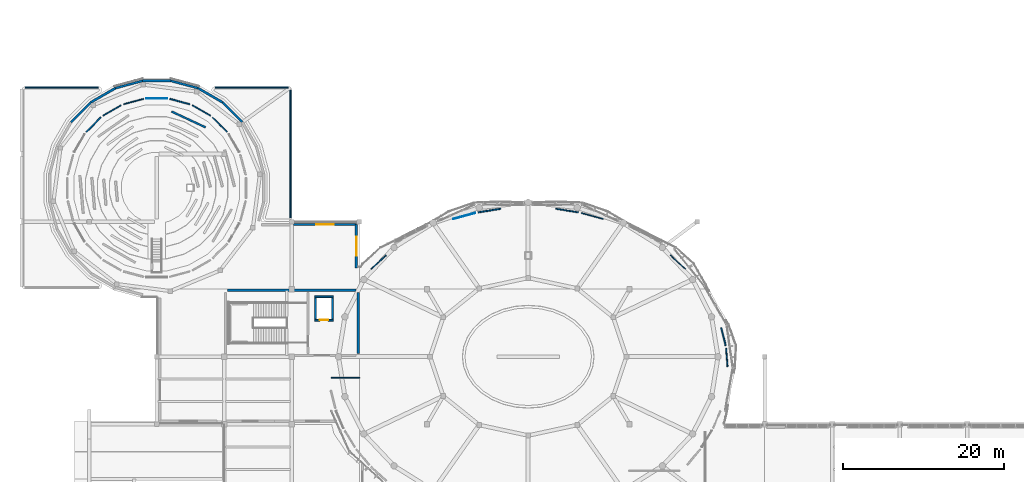
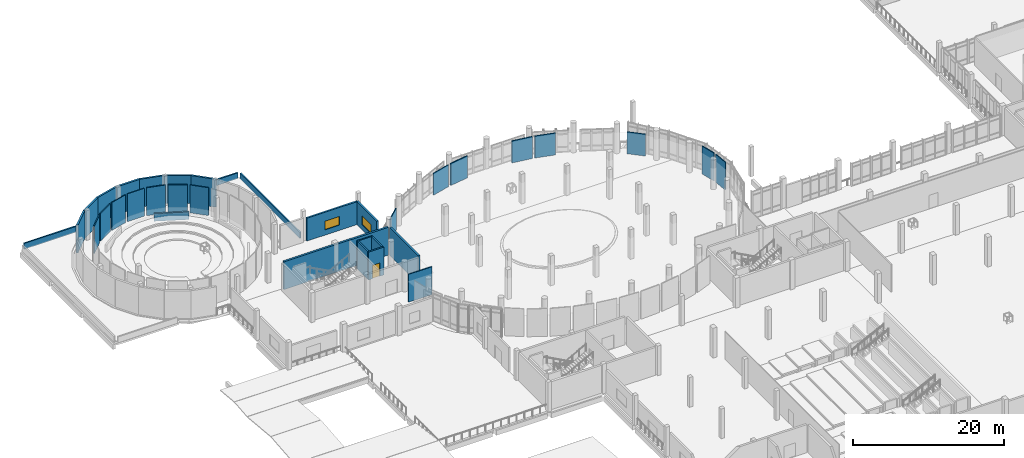
# One storey, part 45 of 63: 35 walls, 2 windows, 1 door, 3 openings.
"""IFC4 building model written with IfcOpenShell, lengths in metres."""

from ifc_helpers import new_model, si_unit, derived_unit, direction, frame, frame_2d, origin, place, context, subcontext, project, spatial, rectangle, extrude, material, layer, layer_set, type_object, element, fill, save


model = new_model("IFC4")

# Units and contexts
model_context = context("Model", 3, precision=1e-05, world=origin(), true_north=direction((0.0, 1.0)))
body_context = subcontext(model_context, "Body", "Model", "MODEL_VIEW")
ifc_project = project(units=[si_unit("LENGTHUNIT", "METRE"), si_unit("AREAUNIT", "SQUARE_METRE"), si_unit("VOLUMEUNIT", "CUBIC_METRE"), si_unit("PLANEANGLEUNIT", "RADIAN"), si_unit("MASSUNIT", "GRAM", prefix="KILO"), derived_unit("THERMALTRANSMITTANCEUNIT", [(si_unit("POWERUNIT", "WATT"), 1), (si_unit("LENGTHUNIT", "METRE"), -2), (si_unit("THERMODYNAMICTEMPERATUREUNIT", "KELVIN"), -1)])], contexts=[model_context])

# Site, building, storey
site_placement = place(None, origin())
site = spatial("IfcSite", under=ifc_project, at=site_placement, CompositionType="ELEMENT")
building_placement = place(site_placement, origin())
building = spatial("IfcBuilding", under=site, at=building_placement, Name="Elbkamm Science Centre", CompositionType="ELEMENT")
storey_placement = place(building_placement, frame((0.0, 0.0, 5.10009765625)))
storey = spatial("IfcBuildingStorey", under=building, at=storey_placement, Name="L01", CompositionType="ELEMENT", Elevation=5.10009765625)

# Walls
ifc_material_1 = material(Name="Reinforced concrete C40/50", Category="concrete")
ifc_layer_1 = layer(ifc_material_1, 0.300048828125)
ifc_layer_set_1 = layer_set([ifc_layer_1], Name="Reinforced concrete C40/50")
wall_type_1 = type_object("IfcWallType", Name="WL-CORE-300", PredefinedType="SHEAR", material=ifc_layer_set_1)
wall_1_placement = place(storey_placement, frame((25.6201171875, 75.449951171875, 0.0), z_axis=(0.0, 0.0, 1.0), x_axis=(1.0, 0.0, 0.0)))
element("IfcWall", 1, at=wall_1_placement, inside=storey, type_object=wall_type_1, Name="L01 Core C1 Northwest Planetarium and Exhibition Core Shear Wall N", PredefinedType="SHEAR", context=body_context, shape_type="SweptSolid", body=[
    extrude(rectangle(XDim=15.9599609375, YDim=0.300048828125, at=frame_2d((7.97998046875, 0.0))), origin(), (0.0, 0.0, 1.0), 4.5),
])
wall_2_placement = place(storey_placement, frame((41.85009765625, 67.6201171875, 0.0), z_axis=(0.0, 0.0, 1.0), x_axis=(0.0, 1.0, 0.0)))
element("IfcWall", 2, at=wall_2_placement, inside=storey, type_object=wall_type_1, Name="L01 Core C1 Northwest Planetarium and Exhibition Core Shear Wall E", PredefinedType="SHEAR", context=body_context, shape_type="SweptSolid", body=[
    extrude(rectangle(XDim=7.559814453125, YDim=0.300048828125, at=frame_2d((3.77978515625, 0.0))), origin(), (0.0, 0.0, 1.0), 4.5),
])
ifc_material_2 = material(Name="White precast concrete C40/50", Category="concrete")
ifc_layer_2 = layer(ifc_material_2, 0.27001953125)
ifc_layer_set_2 = layer_set([ifc_layer_2], Name="White precast concrete C40/50")
wall_type_2 = type_object("IfcWallType", Name="WL-EXT-270", PredefinedType="SOLIDWALL", material=ifc_layer_set_2)
wall_3_placement = place(storey_placement, frame((6.15576171875, 96.36767578125, 0.0), z_axis=(0.0, 0.0, 1.0), x_axis=(0.707106781187, 0.707106781187, 0.0)))
element("IfcWall", 3, at=wall_3_placement, inside=storey, type_object=wall_type_2, Name="L01 Exterior Wall 0169", PredefinedType="SOLIDWALL", context=body_context, shape_type="SweptSolid", body=[
    extrude(rectangle(XDim=3.50244140625, YDim=0.27001953125, at=frame_2d((1.751220703125, 0.0))), origin(), (0.0, 0.0, 1.0), 4.5),
])
wall_4_placement = place(storey_placement, frame((11.665771484375, 100.595458984375, 0.0), z_axis=(0.0, 0.0, 1.0), x_axis=(0.965920667636, 0.25883829669, 0.0)))
element("IfcWall", 4, at=wall_4_placement, inside=storey, type_object=wall_type_2, Name="L01 Exterior Wall 0171", PredefinedType="SOLIDWALL", context=body_context, shape_type="SweptSolid", body=[
    extrude(rectangle(XDim=3.502197265625, YDim=0.27001953125, at=frame_2d((1.7509765625, 0.0))), origin(), (0.0, 0.0, 1.0), 4.5),
])
for number, where, z_axis, x_axis, name in (
    (5, (18.55126953125, 101.501953125, 0.0), (0.0, 0.0, 1.0), (0.965925337635, -0.258820868777, 0.0), "L01 Exterior Wall 0173"),
    (6, (24.967529296875, 98.84423828125, 0.0), (0.0, 0.0, 1.0), (0.707106781187, -0.707106781187, 0.0), "L01 Exterior Wall 0175"),
):
    element("IfcWall", number, at=place(storey_placement, frame(where, z_axis=z_axis, x_axis=x_axis)), inside=storey, type_object=wall_type_2, Name=name, PredefinedType="SOLIDWALL", context=body_context, shape_type="SweptSolid", body=[
        extrude(rectangle(XDim=3.50244140625, YDim=0.27001953125, at=frame_2d((1.751220703125, 0.0))), origin(), (0.0, 0.0, 1.0), 4.5),
    ])

# Wall, opening, window
wall_5_placement = place(storey_placement, frame((33.839111328125, 83.6201171875, 0.0), z_axis=(0.0, 0.0, 1.0), x_axis=(1.0, 0.0, 0.0)))
wall_5 = element("IfcWall", 7, at=wall_5_placement, inside=storey, type_object=wall_type_2, Name="L01 Exterior Wall 0181", PredefinedType="SOLIDWALL", context=body_context, shape_type="SweptSolid", body=[
    extrude(rectangle(XDim=7.781005859375, YDim=0.27001953125, at=frame_2d((3.890625, 0.0))), origin(), (0.0, 0.0, 1.0), 3.699951171875),
])
opening_1_placement = place(wall_5_placement, frame((2.790283203125, 0.0, 0.85009765625)))
opening_1 = element("IfcOpeningElement", 8, at=opening_1_placement, cuts=wall_5, Name="Opening W-06", PredefinedType="OPENING", context=body_context, shape_type="SweptSolid", body=[
    extrude(rectangle(XDim=2.199951171875, YDim=1.39990234375, at=frame_2d((1.10009765625, 0.699951171875))), frame((0.0, 0.14697265625, 0.0), z_axis=(0.0, -1.0, 0.0), x_axis=(1.0, 0.0, 0.0)), (0.0, 0.0, 1.0), 0.2939453125),
])
ifc_material_3 = material(Name="Thermally broken aluminium and triple solar glass", Category="aluminium")
ifc_layer_3 = layer(ifc_material_3, 0.06005859375)
ifc_layer_set_3 = layer_set([ifc_layer_3], Name="Thermally broken aluminium and triple solar glass")
window_type_1 = type_object("IfcWindowType", Name="WIN-2200x1400", PartitioningType="DOUBLE_PANEL_VERTICAL", PredefinedType="WINDOW", material=ifc_layer_set_3)
window_1_placement = place(opening_1_placement, origin())
window_1 = element("IfcWindow", 9, at=window_1_placement, inside=storey, type_object=window_type_1, Name="L01 Facade Window 0025", OverallHeight=1.39990234375, OverallWidth=2.199951171875, PartitioningType="SINGLE_PANEL", PredefinedType="WINDOW", context=body_context, shape_type="SweptSolid", body=[
    extrude(rectangle(XDim=2.199951171875, YDim=1.39990234375, at=frame_2d((1.10009765625, 0.699951171875))), frame((0.0, 0.030029296875, 0.0), z_axis=(0.0, -1.0, 0.0), x_axis=(1.0, 0.0, 0.0)), (0.0, 0.0, 1.0), 0.06005859375),
])
fill(opening_1, window_1)

# Walls
ifc_layer_4 = layer(ifc_material_2, 0.2900390625)
ifc_layer_set_4 = layer_set([ifc_layer_4], Name="White precast concrete C40/50")
wall_type_3 = type_object("IfcWallType", Name="WL-EXT-290", PredefinedType="SOLIDWALL", material=ifc_layer_set_4)
for number, where, z_axis, x_axis, name in (
    (10, (8.63232421875, 98.84423828125, 0.0), (0.0, 0.0, 1.0), (0.866042820954, 0.499969831364, 0.0), "L01 Exterior Wall 0170"),
    (11, (15.048583984375, 101.501953125, 0.0), (0.0, 0.0, 1.0), (1.0, 0.0, 0.0), "L01 Exterior Wall 0172"),
):
    element("IfcWall", number, at=place(storey_placement, frame(where, z_axis=z_axis, x_axis=x_axis)), inside=storey, type_object=wall_type_3, Name=name, PredefinedType="SOLIDWALL", context=body_context, shape_type="SweptSolid", body=[
        extrude(rectangle(XDim=3.502685546875, YDim=0.2900390625, at=frame_2d((1.75146484375, 0.0))), origin(), (0.0, 0.0, 1.0), 4.5),
    ])
wall_6_placement = place(storey_placement, frame((21.934326171875, 100.595458984375, 0.0), z_axis=(0.0, 0.0, 1.0), x_axis=(0.86602539607, -0.500000013362, 0.0)))
element("IfcWall", 12, at=wall_6_placement, inside=storey, type_object=wall_type_3, Name="L01 Exterior Wall 0174", PredefinedType="SOLIDWALL", context=body_context, shape_type="SweptSolid", body=[
    extrude(rectangle(XDim=3.50244140625, YDim=0.2900390625, at=frame_2d((1.751220703125, 0.0))), origin(), (0.0, 0.0, 1.0), 4.5),
])

# Wall, opening, window
wall_7_placement = place(storey_placement, frame((41.6201171875, 83.6201171875, 0.0), z_axis=(0.0, 0.0, 1.0), x_axis=(0.0, -1.0, 0.0)))
wall_7 = element("IfcWall", 13, at=wall_7_placement, inside=storey, type_object=wall_type_3, Name="L01 Exterior Wall 0182", PredefinedType="SOLIDWALL", context=body_context, shape_type="SweptSolid", body=[
    extrude(rectangle(XDim=5.36181640625, YDim=0.2900390625, at=frame_2d((2.680908203125, 0.0))), origin(), (0.0, 0.0, 1.0), 3.699951171875),
])
opening_2_placement = place(wall_7_placement, frame((1.480712890625, 0.0, 0.85009765625)))
opening_2 = element("IfcOpeningElement", 14, at=opening_2_placement, cuts=wall_7, Name="Opening W-07", PredefinedType="OPENING", context=body_context, shape_type="SweptSolid", body=[
    extrude(rectangle(XDim=2.39990234375, YDim=1.39990234375, at=frame_2d((1.199951171875, 0.699951171875))), frame((0.0, 0.156982421875, 0.0), z_axis=(0.0, -1.0, 0.0), x_axis=(1.0, 0.0, 0.0)), (0.0, 0.0, 1.0), 0.31396484375),
])
ifc_layer_5 = layer(ifc_material_3, 0.06005859375)
ifc_layer_set_5 = layer_set([ifc_layer_5], Name="Thermally broken aluminium and triple solar glass")
window_type_2 = type_object("IfcWindowType", Name="WIN-2400x1400", PartitioningType="DOUBLE_PANEL_VERTICAL", PredefinedType="WINDOW", material=ifc_layer_set_5)
window_2_placement = place(opening_2_placement, origin())
window_2 = element("IfcWindow", 15, at=window_2_placement, inside=storey, type_object=window_type_2, Name="L01 Facade Window 0026", OverallHeight=1.39990234375, OverallWidth=2.39990234375, PartitioningType="SINGLE_PANEL", PredefinedType="WINDOW", context=body_context, shape_type="SweptSolid", body=[
    extrude(rectangle(XDim=2.39990234375, YDim=1.39990234375, at=frame_2d((1.199951171875, 0.699951171875))), frame((0.0, 0.030029296875, 0.0), z_axis=(0.0, -1.0, 0.0), x_axis=(1.0, 0.0, 0.0)), (0.0, 0.0, 1.0), 0.06005859375),
])
fill(opening_2, window_2)

# Walls
ifc_layer_6 = layer(ifc_material_2, 0.18994140625)
ifc_layer_set_6 = layer_set([ifc_layer_6], Name="White precast concrete C40/50")
wall_type_4 = type_object("IfcWallType", Name="WL-PAR-190", PredefinedType="PARAPET", material=ifc_layer_set_6)
wall_8_placement = place(storey_placement, frame((33.4599609375, 100.346435546875, 0.0), z_axis=(0.0, 0.0, 1.0), x_axis=(0.0, -1.0, 0.0)))
element("IfcWall", 16, at=wall_8_placement, inside=storey, type_object=wall_type_4, Name="L01 Roof Parapet Wall 025", PredefinedType="PARAPET", context=body_context, shape_type="SweptSolid", body=[
    extrude(rectangle(XDim=15.863037109375, YDim=0.18994140625, at=frame_2d((7.931640625, 0.0))), origin(), (0.0, 0.0, 1.0), 0.949951171875),
])
ifc_layer_7 = layer(ifc_material_2, 0.2099609375)
ifc_layer_set_7 = layer_set([ifc_layer_7], Name="White precast concrete C40/50")
wall_type_5 = type_object("IfcWallType", Name="WL-PAR-210", PredefinedType="PARAPET", material=ifc_layer_set_7)
wall_9_placement = place(storey_placement, frame((24.082763671875, 100.659912109375, 0.0), z_axis=(0.0, 0.0, 1.0), x_axis=(1.0, 0.0, 0.0)))
element("IfcWall", 17, at=wall_9_placement, inside=storey, type_object=wall_type_5, Name="L01 Roof Parapet Wall 024", PredefinedType="PARAPET", context=body_context, shape_type="SweptSolid", body=[
    extrude(rectangle(XDim=9.063720703125, YDim=0.2099609375, at=frame_2d((4.53173828125, 0.0))), origin(), (0.0, 0.0, 1.0), 0.949951171875),
])
wall_10_placement = place(storey_placement, frame((0.45361328125, 100.659912109375, 0.0), z_axis=(0.0, 0.0, 1.0), x_axis=(1.0, 0.0, 0.0)))
element("IfcWall", 18, at=wall_10_placement, inside=storey, type_object=wall_type_5, Name="L01 Roof Parapet Wall 026", PredefinedType="PARAPET", context=body_context, shape_type="SweptSolid", body=[
    extrude(rectangle(XDim=9.0634765625, YDim=0.2099609375, at=frame_2d((4.53173828125, 0.0))), origin(), (0.0, 0.0, 1.0), 0.949951171875),
])
ifc_material_4 = material(Name="Drywall service partition", Category="gypsum")
ifc_layer_8 = layer(ifc_material_4, 0.10009765625)
ifc_layer_set_8 = layer_set([ifc_layer_8], Name="Drywall service partition")
wall_type_6 = type_object("IfcWallType", Name="WL-PART-100", PredefinedType="PARTITIONING", material=ifc_layer_set_8)
wall_11_placement = place(storey_placement, frame((15.51806640625, 99.30419921875, 0.0), z_axis=(0.0, 0.0, 1.0), x_axis=(1.0, 0.0, 0.0)))
element("IfcWall", 19, at=wall_11_placement, inside=storey, type_object=wall_type_6, Name="L01 Planetarium Star Chamber Partition 0079", PredefinedType="PARTITIONING", context=body_context, shape_type="SweptSolid", body=[
    extrude(rectangle(XDim=2.563720703125, YDim=0.10009765625, at=frame_2d((1.28173828125, 0.0))), origin(), (0.0, 0.0, 1.0), 4.5),
])
wall_12_placement = place(storey_placement, frame((53.68310546875, 84.3251953125, 0.0), z_axis=(0.0, 0.0, 1.0), x_axis=(0.96451408242, 0.264031408763, 0.0)))
element("IfcWall", 20, at=wall_12_placement, inside=storey, type_object=wall_type_6, Name="L01 Marine Ecology Exhibition Hall Partition 0103", PredefinedType="PARTITIONING", context=body_context, shape_type="SweptSolid", body=[
    extrude(rectangle(XDim=2.824951171875, YDim=0.10009765625, at=frame_2d((1.41259765625, 0.0))), origin(), (0.0, 0.0, 1.0), 3.5498046875),
])
wall_13_placement = place(storey_placement, frame((80.668701171875, 79.8203125, 0.0), z_axis=(0.0, 0.0, 1.0), x_axis=(0.736070513848, -0.67690486676, 0.0)))
element("IfcWall", 21, at=wall_13_placement, inside=storey, type_object=wall_type_6, Name="L01 Marine Ecology Exhibition Hall Partition 0107", PredefinedType="PARTITIONING", context=body_context, shape_type="SweptSolid", body=[
    extrude(rectangle(XDim=2.5458984375, YDim=0.10009765625, at=frame_2d((1.27294921875, 0.0))), origin(), (0.0, 0.0, 1.0), 3.5498046875),
])
ifc_material_5 = material(Name="Lightweight metal-stud gypsum partition", Category="gypsum")
ifc_layer_9 = layer(ifc_material_5, 0.125)
ifc_layer_set_9 = layer_set([ifc_layer_9], Name="Lightweight metal-stud gypsum partition")
wall_type_7 = type_object("IfcWallType", Name="WL-PART-125", PredefinedType="PARTITIONING", material=ifc_layer_set_9)
wall_14_placement = place(storey_placement, frame((12.687744140625, 98.593994140625, 0.0), z_axis=(0.0, 0.0, 1.0), x_axis=(0.965927649949, 0.258812239014, 0.0)))
element("IfcWall", 22, at=wall_14_placement, inside=storey, type_object=wall_type_7, Name="L01 Planetarium Star Chamber Partition 0078", PredefinedType="PARTITIONING", context=body_context, shape_type="SweptSolid", body=[
    extrude(rectangle(XDim=2.56396484375, YDim=0.125, at=frame_2d((1.281982421875, 0.0))), origin(), (0.0, 0.0, 1.0), 4.5),
])
wall_15_placement = place(storey_placement, frame((23.745361328125, 96.958251953125, 0.0), z_axis=(0.0, 0.0, 1.0), x_axis=(0.707154392995, -0.707059166172, 0.0)))
element("IfcWall", 23, at=wall_15_placement, inside=storey, type_object=wall_type_7, Name="L01 Planetarium Star Chamber Partition 0082", PredefinedType="PARTITIONING", context=body_context, shape_type="SweptSolid", body=[
    extrude(rectangle(XDim=2.563720703125, YDim=0.125, at=frame_2d((1.28173828125, 0.0))), origin(), (0.0, 0.0, 1.0), 4.5),
])
wall_16_placement = place(storey_placement, frame((43.457275390625, 78.096923828125, 0.0), z_axis=(0.0, 0.0, 1.0), x_axis=(0.736070513848, 0.67690486676, 0.0)))
element("IfcWall", 24, at=wall_16_placement, inside=storey, type_object=wall_type_7, Name="L01 Marine Ecology Exhibition Hall Partition 0102", PredefinedType="PARTITIONING", context=body_context, shape_type="SweptSolid", body=[
    extrude(rectangle(XDim=2.5458984375, YDim=0.125, at=frame_2d((1.27294921875, 0.0))), origin(), (0.0, 0.0, 1.0), 3.5498046875),
])
wall_17_placement = place(storey_placement, frame((69.59228515625, 85.071044921875, 0.0), z_axis=(0.0, 0.0, 1.0), x_axis=(0.96451408242, -0.264031408763, 0.0)))
element("IfcWall", 25, at=wall_17_placement, inside=storey, type_object=wall_type_7, Name="L01 Marine Ecology Exhibition Hall Partition 0106", PredefinedType="PARTITIONING", context=body_context, shape_type="SweptSolid", body=[
    extrude(rectangle(XDim=2.824951171875, YDim=0.125, at=frame_2d((1.41259765625, 0.0))), origin(), (0.0, 0.0, 1.0), 3.5498046875),
])
ifc_material_6 = material(Name="Acoustic metal-stud gypsum partition", Category="gypsum")
ifc_layer_10 = layer(ifc_material_6, 0.139892578125)
ifc_layer_set_10 = layer_set([ifc_layer_10], Name="Acoustic metal-stud gypsum partition")
wall_type_8 = type_object("IfcWallType", Name="WL-PART-140", PredefinedType="PARTITIONING", material=ifc_layer_set_10)
for number, where, z_axis, x_axis, name in (
    (26, (10.1376953125, 97.175537109375, 0.0), (0.0, 0.0, 1.0), (0.866001624648, 0.50004118441, 0.0), "L01 Planetarium Star Chamber Partition 0077"),
    (27, (21.241943359375, 98.45751953125, 0.0), (0.0, 0.0, 1.0), (0.866001624648, -0.50004118441, 0.0), "L01 Planetarium Star Chamber Partition 0081"),
):
    element("IfcWall", number, at=place(storey_placement, frame(where, z_axis=z_axis, x_axis=x_axis)), inside=storey, type_object=wall_type_8, Name=name, PredefinedType="PARTITIONING", context=body_context, shape_type="SweptSolid", body=[
        extrude(rectangle(XDim=2.563720703125, YDim=0.139892578125, at=frame_2d((1.28173828125, 0.0))), origin(), (0.0, 0.0, 1.0), 4.5),
    ])
wall_18_placement = place(storey_placement, frame((38.4775390625, 64.60009765625, 0.0), z_axis=(0.0, 0.0, 1.0), x_axis=(1.0, 0.0, 0.0)))
element("IfcWall", 28, at=wall_18_placement, inside=storey, type_object=wall_type_8, Name="L01 Marine Ecology Exhibition Hall Partition 0101", PredefinedType="PARTITIONING", context=body_context, shape_type="SweptSolid", body=[
    extrude(rectangle(XDim=3.592529296875, YDim=0.139892578125, at=frame_2d((1.79638671875, 0.0))), origin(), (0.0, 0.0, 1.0), 4.5),
])
wall_19_placement = place(storey_placement, frame((66.414794921875, 85.600341796875, 0.0), z_axis=(0.0, 0.0, 1.0), x_axis=(0.987376146081, -0.158393011686, 0.0)))
element("IfcWall", 29, at=wall_19_placement, inside=storey, type_object=wall_type_8, Name="L01 Marine Ecology Exhibition Hall Partition 0105", PredefinedType="PARTITIONING", context=body_context, shape_type="SweptSolid", body=[
    extrude(rectangle(XDim=2.8623046875, YDim=0.139892578125, at=frame_2d((1.43115234375, 0.0))), origin(), (0.0, 0.0, 1.0), 3.5498046875),
])
wall_20_placement = place(storey_placement, frame((87.602294921875, 68.231201171875, 0.0), z_axis=(0.0, 0.0, 1.0), x_axis=(0.081050902372, -0.996709963442, 0.0)))
element("IfcWall", 30, at=wall_20_placement, inside=storey, type_object=wall_type_8, Name="L01 Marine Ecology Exhibition Hall Partition 0109", PredefinedType="PARTITIONING", context=body_context, shape_type="SweptSolid", body=[
    extrude(rectangle(XDim=2.259033203125, YDim=0.139892578125, at=frame_2d((1.12939453125, 0.0))), origin(), (0.0, 0.0, 1.0), 4.5),
])
ifc_layer_11 = layer(ifc_material_6, 0.159912109375)
ifc_layer_set_11 = layer_set([ifc_layer_11], Name="Acoustic metal-stud gypsum partition")
wall_type_9 = type_object("IfcWallType", Name="WL-PART-160", PredefinedType="PARTITIONING", material=ifc_layer_set_11)
for number, where, z_axis, x_axis, name in (
    (31, (8.041748046875, 95.1455078125, 0.0), (0.0, 0.0, 1.0), (0.707106781187, 0.707106781187, 0.0), "L01 Planetarium Star Chamber Partition 0076"),
    (32, (18.435791015625, 99.257568359375, 0.0), (0.0, 0.0, 1.0), (0.965921270769, -0.258836045938, 0.0), "L01 Planetarium Star Chamber Partition 0080"),
):
    element("IfcWall", number, at=place(storey_placement, frame(where, z_axis=z_axis, x_axis=x_axis)), inside=storey, type_object=wall_type_9, Name=name, PredefinedType="PARTITIONING", context=body_context, shape_type="SweptSolid", body=[
        extrude(rectangle(XDim=2.563720703125, YDim=0.159912109375, at=frame_2d((1.28173828125, 0.0))), origin(), (0.0, 0.0, 1.0), 4.5),
    ])
wall_21_placement = place(storey_placement, frame((56.759033203125, 85.14697265625, 0.0), z_axis=(0.0, 0.0, 1.0), x_axis=(0.987376146081, 0.158393011686, 0.0)))
element("IfcWall", 33, at=wall_21_placement, inside=storey, type_object=wall_type_9, Name="L01 Marine Ecology Exhibition Hall Partition 0104", PredefinedType="PARTITIONING", context=body_context, shape_type="SweptSolid", body=[
    extrude(rectangle(XDim=2.8623046875, YDim=0.159912109375, at=frame_2d((1.43115234375, 0.0))), origin(), (0.0, 0.0, 1.0), 3.5498046875),
])
wall_22_placement = place(storey_placement, frame((86.998046875, 70.801513671875, 0.0), z_axis=(0.0, 0.0, 1.0), x_axis=(0.23946427509, -0.970905176089, 0.0)))
element("IfcWall", 34, at=wall_22_placement, inside=storey, type_object=wall_type_9, Name="L01 Marine Ecology Exhibition Hall Partition 0108", PredefinedType="PARTITIONING", context=body_context, shape_type="SweptSolid", body=[
    extrude(rectangle(XDim=2.28271484375, YDim=0.159912109375, at=frame_2d((1.141357421875, 0.0))), origin(), (0.0, 0.0, 1.0), 4.5),
])
ifc_layer_12 = layer(ifc_material_1, 0.239990234375)
ifc_layer_set_12 = layer_set([ifc_layer_12], Name="Reinforced concrete C40/50")
wall_type_10 = type_object("IfcWallType", Name="WL-RISER-240", PredefinedType="SOLIDWALL", material=ifc_layer_set_12)
wall_23_placement = place(storey_placement, frame((22.885498046875, 95.715087890625, 0.0), z_axis=(0.0, 0.0, 1.0), x_axis=(-0.906313737094, 0.422605501567, 0.0)))
element("IfcWall", 35, at=wall_23_placement, inside=storey, type_object=wall_type_10, Name="Planetarium Tier 1 Riser Support Wall 2", PredefinedType="SOLIDWALL", context=body_context, shape_type="SweptSolid", body=[
    extrude(rectangle(XDim=4.6787109375, YDim=0.239990234375, at=frame_2d((2.33935546875, 0.0))), origin(), (0.0, 0.0, 1.0), 1.22998046875),
])
ifc_layer_13 = layer(ifc_material_1, 0.219970703125)
ifc_layer_set_13 = layer_set([ifc_layer_13], Name="Reinforced concrete C40/50")
wall_type_11 = type_object("IfcWallType", Name="WL-SHAFT-220", PredefinedType="SOLIDWALL", material=ifc_layer_set_13)
for number, where, z_axis, x_axis, name in (
    (36, (36.5400390625, 71.85009765625, 0.0), (0.0, 0.0, 1.0), (0.0, 1.0, 0.0), "L01 Lift FF1 Shaft West Wall"),
    (37, (38.659912109375, 71.85009765625, 0.0), (0.0, 0.0, 1.0), (0.0, 1.0, 0.0), "L01 Lift FF1 Shaft East Wall"),
):
    element("IfcWall", number, at=place(storey_placement, frame(where, z_axis=z_axis, x_axis=x_axis)), inside=storey, type_object=wall_type_11, Name=name, PredefinedType="SOLIDWALL", context=body_context, shape_type="SweptSolid", body=[
        extrude(rectangle(XDim=2.699951171875, YDim=0.219970703125, at=frame_2d((1.35009765625, 0.0))), origin(), (0.0, 0.0, 1.0), 4.5),
    ])
wall_24_placement = place(storey_placement, frame((36.429931640625, 74.659912109375, 0.0), z_axis=(0.0, 0.0, 1.0), x_axis=(1.0, 0.0, 0.0)))
element("IfcWall", 38, at=wall_24_placement, inside=storey, type_object=wall_type_11, Name="L01 Lift FF1 Shaft Back Wall", PredefinedType="SOLIDWALL", context=body_context, shape_type="SweptSolid", body=[
    extrude(rectangle(XDim=2.340087890625, YDim=0.219970703125, at=frame_2d((1.169921875, 0.0))), origin(), (0.0, 0.0, 1.0), 4.5),
])

# Wall, opening, door
wall_25_placement = place(storey_placement, frame((36.429931640625, 71.739990234375, 0.0), z_axis=(0.0, 0.0, 1.0), x_axis=(1.0, 0.0, 0.0)))
wall_25 = element("IfcWall", 39, at=wall_25_placement, inside=storey, type_object=wall_type_11, Name="L01 Lift FF1 Shaft Front Wall", PredefinedType="SOLIDWALL", context=body_context, shape_type="SweptSolid", body=[
    extrude(rectangle(XDim=2.340087890625, YDim=0.219970703125, at=frame_2d((1.169921875, 0.0))), origin(), (0.0, 0.0, 1.0), 4.5),
])
opening_3_placement = place(wall_25_placement, frame((0.6201171875, 0.0, 0.0)))
opening_3 = element("IfcOpeningElement", 40, at=opening_3_placement, cuts=wall_25, Name="Opening LD-01", PredefinedType="OPENING", context=body_context, shape_type="SweptSolid", body=[
    extrude(rectangle(XDim=1.10009765625, YDim=2.14990234375, at=frame_2d((0.550048828125, 1.074951171875))), frame((0.0, 0.1220703125, 0.0), z_axis=(0.0, -1.0, 0.0), x_axis=(1.0, 0.0, 0.0)), (0.0, 0.0, 1.0), 0.243896484375),
])
ifc_material_7 = material(Name="Stainless steel lift landing door", Category="steel")
ifc_layer_14 = layer(ifc_material_7, 0.050048828125)
ifc_layer_set_14 = layer_set([ifc_layer_14], Name="Stainless steel lift landing door")
door_type = type_object("IfcDoorType", Name="DR-LIFT-1100x2150", OperationType="DOUBLE_DOOR_SLIDING", PredefinedType="DOOR", material=ifc_layer_set_14)
door_placement = place(opening_3_placement, origin())
door = element("IfcDoor", 41, at=door_placement, inside=storey, type_object=door_type, Name="L01 Lift FF1 Sliding Landing Door", OperationType="DOUBLE_DOOR_SLIDING", OverallHeight=2.14990234375, OverallWidth=1.10009765625, PredefinedType="DOOR", context=body_context, shape_type="SweptSolid", body=[
    extrude(rectangle(XDim=1.10009765625, YDim=2.14990234375, at=frame_2d((0.550048828125, 1.074951171875))), frame((0.0, 0.02490234375, 0.0), z_axis=(0.0, -1.0, 0.0), x_axis=(1.0, 0.0, 0.0)), (0.0, 0.0, 1.0), 0.050048828125),
])
fill(opening_3, door)

save(model, "model.ifc")
